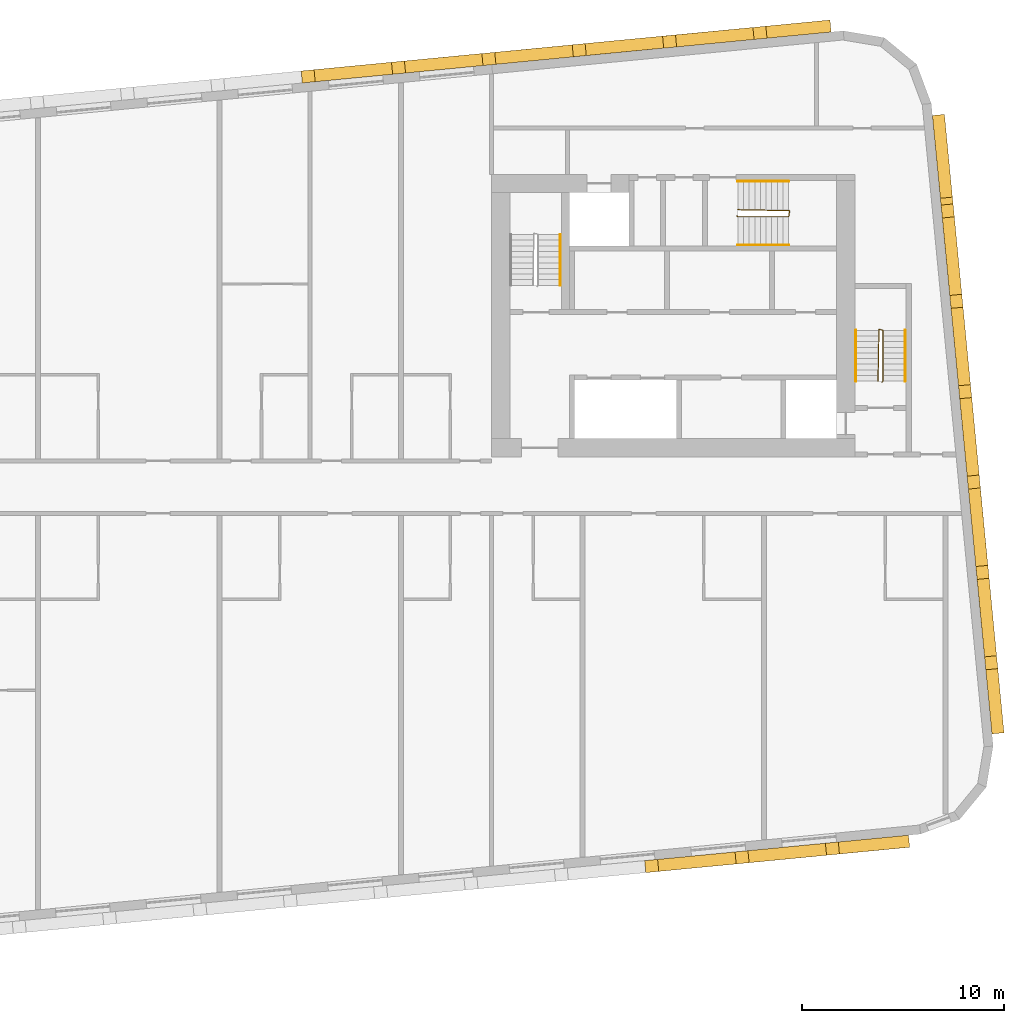
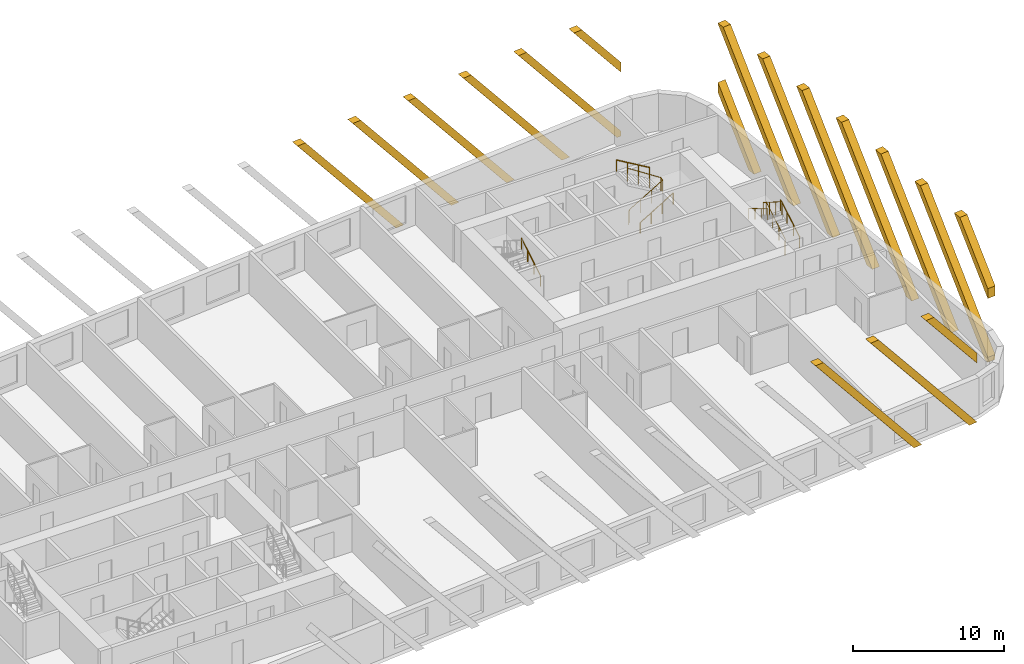
# One storey, part 12 of 12: 17 coverings, 7 railings.
"""IFC4 building model written with IfcOpenShell, lengths in metres."""

import ifcopenshell
import ifcopenshell.guid

model = None  # the IFC model being written
_history = None  # IfcOwnerHistory: only IFC2X3 demands one
_inside = {}  # id of a spatial element -> (the spatial element, [elements in it])
_under = {}  # id of a project, library or spatial element -> (it, [spatial elements below it])
_declared = {}  # id of a project -> (the project, [libraries it declares])
_typed = {}  # id of a type object -> (the type object, [elements of that type])
_made_of = {}  # id of a material, layer set ... -> (it, [elements and type objects made of it])


def new_model(schema):
    """Start an empty IFC model of exactly this schema.

    Asked for "IFC4X3", IfcOpenShell would pick the latest addendum, in which some entities
    have other attributes; the version numbers below select the first issue.
    IFC2X3 requires an IfcOwnerHistory on every rooted entity: one is made here for all.
    """
    global model, _history
    if schema == "IFC4X3":
        model = ifcopenshell.file(schema_version=(4, 3, 0, 0))
    else:
        model = ifcopenshell.file(schema=schema)
    _inside.clear()
    _under.clear()
    _declared.clear()
    _typed.clear()
    _made_of.clear()
    _history = None
    if model.schema == "IFC2X3":
        org = make("IfcOrganization", Name="unknown")
        user = make(
            "IfcPersonAndOrganization",
            ThePerson=make("IfcPerson", FamilyName="unknown"),
            TheOrganization=org,
        )
        app = make(
            "IfcApplication",
            ApplicationDeveloper=org,
            Version="unknown",
            ApplicationFullName="unknown",
            ApplicationIdentifier="unknown",
        )
        _history = make(
            "IfcOwnerHistory",
            OwningUser=user,
            OwningApplication=app,
            ChangeAction="ADDED",
            CreationDate=0,
        )
    return model


def make(cls, **values):
    """One entity of the class cls with the attributes given. An attribute that is None is left unset."""
    return model.create_entity(
        cls, **{name: value for name, value in values.items() if value is not None}
    )


def rooted(cls, **values):
    """An entity with a GlobalId (a new one), such as an element, a storey or a relation."""
    return make(cls, GlobalId=ifcopenshell.guid.new(), OwnerHistory=_history, **values)


def si_unit(unit_type, name, prefix=None):
    """IfcSIUnit, for example si_unit("LENGTHUNIT", "METRE", prefix="MILLI")."""
    return make("IfcSIUnit", UnitType=unit_type, Prefix=prefix, Name=name)


def assignment(units):
    """IfcUnitAssignment: the units of a project."""
    return None if units is None else make("IfcUnitAssignment", Units=units)


def point(xyz):
    """IfcCartesianPoint."""
    return None if xyz is None else make("IfcCartesianPoint", Coordinates=xyz)


def direction(xyz):
    """IfcDirection."""
    return None if xyz is None else make("IfcDirection", DirectionRatios=xyz)


def frame(location, z_axis=None, x_axis=None):
    """IfcAxis2Placement3D, a coordinate frame: its origin and axes. An axis left out is left unset."""
    return make(
        "IfcAxis2Placement3D",
        Location=point(location),
        Axis=direction(z_axis),
        RefDirection=direction(x_axis),
    )


def frame_2d(location, x_axis=None):
    """IfcAxis2Placement2D, a coordinate frame in the plane: its origin and x axis."""
    return make(
        "IfcAxis2Placement2D", Location=point(location), RefDirection=direction(x_axis)
    )


def origin():
    """The frame at (0, 0, 0) with its axes left unset."""
    return frame((0.0, 0.0, 0.0))


def origin_2d():
    """The frame at (0, 0) in the plane with its x axis left unset."""
    return frame_2d((0.0, 0.0))


def place(relative_to, where):
    """IfcLocalPlacement: puts the frame where relative to a parent placement (None: the world)."""
    return make(
        "IfcLocalPlacement", PlacementRelTo=relative_to, RelativePlacement=where
    )


def context(
    kind, dimensions, precision=None, world=None, true_north=None, identifier=None
):
    """IfcGeometricRepresentationContext, for example the 3D "Model" context."""
    return make(
        "IfcGeometricRepresentationContext",
        ContextIdentifier=identifier,
        ContextType=kind,
        CoordinateSpaceDimension=dimensions,
        Precision=precision,
        WorldCoordinateSystem=world,
        TrueNorth=true_north,
    )


def subcontext(parent, identifier, kind, view, scale=None):
    """IfcGeometricRepresentationSubContext, for example "Body" below "Model"."""
    return make(
        "IfcGeometricRepresentationSubContext",
        ContextIdentifier=identifier,
        ContextType=kind,
        ParentContext=parent,
        TargetScale=scale,
        TargetView=view,
    )


def project(units=None, contexts=None):
    """IfcProject with its units and contexts."""
    return rooted(
        "IfcProject",
        Name="project",
        RepresentationContexts=contexts,
        UnitsInContext=assignment(units),
    )


def spatial(cls, under=None, at=None, **own):
    """A site, building, storey or space (cls), placed at a placement, below another one or the project."""
    s = rooted(cls, ObjectPlacement=at, **own)
    if under is not None:
        _under.setdefault(under.id(), (under, []))[1].append(s)
    return s


def polyline(points):
    """IfcPolyline through the points."""
    return make("IfcPolyline", Points=[point(p) for p in points])


def profile(cls, at=None, kind="AREA", **sizes):
    """A parametric profile (cls). Its sizes go by their IFC names, for example OverallWidth=200.0."""
    return make(cls, ProfileType=kind, Position=at, **sizes)


def rectangle(**sizes):
    """IfcRectangleProfileDef."""
    return profile("IfcRectangleProfileDef", **sizes)


def circle(**sizes):
    """IfcCircleProfileDef."""
    return profile("IfcCircleProfileDef", **sizes)


def outline(outer, holes=None, kind="AREA"):
    """IfcArbitraryClosedProfileDef: a profile drawn as a closed curve; with holes, ...WithVoids."""
    if holes is None:
        return make("IfcArbitraryClosedProfileDef", ProfileType=kind, OuterCurve=outer)
    return make(
        "IfcArbitraryProfileDefWithVoids",
        ProfileType=kind,
        OuterCurve=outer,
        InnerCurves=holes,
    )


def extrude(swept, where, along, depth):
    """IfcExtrudedAreaSolid: the profile swept, set in the frame where, extruded along a direction by depth."""
    return make(
        "IfcExtrudedAreaSolid",
        SweptArea=swept,
        Position=where,
        ExtrudedDirection=direction(along),
        Depth=depth,
    )


def shape(context_of_items, identifier, shape_type, items):
    """IfcShapeRepresentation: the items that make up one representation, for example the "Body"."""
    return make(
        "IfcShapeRepresentation",
        ContextOfItems=context_of_items,
        RepresentationIdentifier=identifier,
        RepresentationType=shape_type,
        Items=items,
    )


def material(Name=None, Category=None):
    """IfcMaterial."""
    return make("IfcMaterial", Name=Name, Category=Category)


def material_profile(
    of_material, cross_section, Name=None, Category=None, Priority=None
):
    """IfcMaterialProfile: a cross section and its material."""
    return make(
        "IfcMaterialProfile",
        Name=Name,
        Material=of_material,
        Profile=cross_section,
        Priority=Priority,
        Category=Category,
    )


def profile_set(profiles, Name=None, composite=None):
    """IfcMaterialProfileSet."""
    return make(
        "IfcMaterialProfileSet",
        Name=Name,
        MaterialProfiles=profiles,
        CompositeProfile=composite,
    )


def made_of(thing, what):
    """Note that an element or type object is made of a material, layer set ...; save() writes the relation."""
    if what is not None:
        _made_of.setdefault(what.id(), (what, []))[1].append(thing)
    return thing


def type_object(cls, material=None, **own):
    """A type object (cls), such as IfcWallType, which elements share."""
    return made_of(rooted(cls, **own), material)


def element(
    cls,
    number,
    at=None,
    inside=None,
    cuts=None,
    type_object=None,
    material=None,
    context=None,
    identifier="Body",
    shape_type=None,
    held_by="IfcProductDefinitionShape",
    body=None,
    shapes=None,
    **own,
):
    """One element of the class cls, such as IfcWall. Its Tag is "e" and its number.

    at: its placement. inside: the storey or other place that contains it. cuts: it is an
    opening in that element (IfcRelVoidsElement). A single representation is given by context,
    identifier, shape_type and body (its items); several are given by shapes. held_by: the class
    of the entity that holds the representations. save() writes the other relations.
    """
    e = rooted(cls, Tag="e%d" % number, ObjectPlacement=at, **own)
    if body is not None:
        shapes = [shape(context, identifier, shape_type, body)]
    if shapes is not None:
        e.Representation = make(held_by, Representations=shapes)
    if inside is not None:
        _inside.setdefault(inside.id(), (inside, []))[1].append(e)
    if cuts is not None:
        rooted(
            "IfcRelVoidsElement", RelatingBuildingElement=cuts, RelatedOpeningElement=e
        )
    if type_object is not None:
        _typed.setdefault(type_object.id(), (type_object, []))[1].append(e)
    return made_of(e, material)


def aggregate(whole, parts):
    """IfcRelAggregates: a whole, such as a stair, and the parts it consists of."""
    return rooted("IfcRelAggregates", RelatingObject=whole, RelatedObjects=parts)


def save(model, path):
    """Write the relations noted so far, then the file.

    IfcRelAggregates (storeys below a building ...), IfcRelContainedInSpatialStructure (elements
    in a storey), IfcRelDefinesByType, IfcRelAssociatesMaterial and IfcRelDeclares: one each for
    every whole, place, type object, material and project.
    """
    for whole, parts in _under.values():
        aggregate(whole, parts)
    for where, things in _inside.values():
        rooted(
            "IfcRelContainedInSpatialStructure",
            RelatedElements=things,
            RelatingStructure=where,
        )
    for kind, things in _typed.values():
        rooted("IfcRelDefinesByType", RelatedObjects=things, RelatingType=kind)
    for what, things in _made_of.values():
        rooted("IfcRelAssociatesMaterial", RelatedObjects=things, RelatingMaterial=what)
    for by, libraries in _declared.values():
        rooted("IfcRelDeclares", RelatingContext=by, RelatedDefinitions=libraries)
    model.write(path)


model = new_model("IFC4")

# Units and contexts
model_context = context("Model", 3, precision=1e-05, world=origin(), true_north=direction((0.0, 1.0)))
body_context = subcontext(model_context, "Body", "Model", "MODEL_VIEW")
ifc_project = project(units=[si_unit("LENGTHUNIT", "METRE"), si_unit("AREAUNIT", "SQUARE_METRE"), si_unit("VOLUMEUNIT", "CUBIC_METRE"), si_unit("PLANEANGLEUNIT", "RADIAN"), si_unit("MASSUNIT", "GRAM", prefix="KILO")], contexts=[model_context])

# Site, building, storey
site_placement = place(None, origin())
site = spatial("IfcSite", under=ifc_project, at=site_placement, CompositionType="ELEMENT")
building_placement = place(site_placement, origin())
building = spatial("IfcBuilding", under=site, at=building_placement, Name="Kajstack Hotel Tower", CompositionType="ELEMENT")
storey_placement = place(building_placement, frame((0.0, 0.0, 288.300048828125)))
storey = spatial("IfcBuildingStorey", under=building, at=storey_placement, Name="L72", CompositionType="ELEMENT", Elevation=288.300048828125)

# Coverings
ifc_material_1 = material(Name="Terracotta", Category="masonry")
ifc_material_profile = material_profile(ifc_material_1, rectangle(XDim=0.60009765625, YDim=0.5, at=origin_2d()), Name="Terracotta-clad concrete baguette 500 x 600")
ifc_profile_set = profile_set([ifc_material_profile], Name="Terracotta")
covering_type = type_object("IfcCoveringType", Name="BAGUETTE 500x600", PredefinedType="CLADDING", material=ifc_profile_set)
covering_1_placement = place(storey_placement, frame((21.082763671875, -18.51806640625, 0.0), z_axis=(0.095634862357, -0.995416482233, 0.0), x_axis=(0.995416482233, 0.095634862357, 0.0)))
element("IfcCovering", 1, at=covering_1_placement, inside=storey, type_object=covering_type, Name="Baguette L72-04-054", PredefinedType="CLADDING", context=body_context, shape_type="SweptSolid", body=[
    extrude(outline(polyline([(0.0, 9.89990234375), (8.016845703125, 0.0), (8.66015625, 0.0), (0.643310546875, 9.89990234375), (0.0, 9.89990234375)])), origin(), (0.0, 0.0, 1.0), 0.599853515625),
])
covering_2_placement = place(storey_placement, frame((25.56201171875, -18.086669921875, 0.0), z_axis=(0.095634862357, -0.995416482233, 0.0), x_axis=(0.995416482233, 0.095634862357, 0.0)))
element("IfcCovering", 2, at=covering_2_placement, inside=storey, type_object=covering_type, Name="Baguette L72-04-058", PredefinedType="CLADDING", context=body_context, shape_type="SweptSolid", body=[
    extrude(outline(polyline([(8.016845703125, 0.0), (8.638671875, 0.0), (8.638671875, 0.026611328125), (0.643310546875, 9.89990234375), (0.0, 9.89990234375), (8.016845703125, 0.0)])), origin(), (0.0, 0.0, 1.0), 0.599853515625),
])
covering_3_placement = place(storey_placement, frame((30.041259765625, -17.6552734375, 0.0), z_axis=(0.095999188106, -0.995381412265, 0.0), x_axis=(0.995381412265, 0.095999188106, 0.0)))
element("IfcCovering", 3, at=covering_3_placement, inside=storey, type_object=covering_type, Name="Baguette L72-04-062", PredefinedType="CLADDING", context=body_context, shape_type="SweptSolid", body=[
    extrude(outline(polyline([(0.0, 9.89990234375), (4.138671875, 4.789306640625), (4.138671875, 5.583740234375), (0.643310546875, 9.89990234375), (0.0, 9.89990234375)])), origin(), (0.0, 0.0, 1.0), 0.60009765625),
])
covering_4_placement = place(storey_placement, frame((38.298828125, -12.239013671875, 0.0), z_axis=(0.995416482233, 0.095634862357, 0.0), x_axis=(-0.095634862357, 0.995416482233, 0.0)))
element("IfcCovering", 4, at=covering_4_placement, inside=storey, type_object=covering_type, Name="Baguette L72-08-002", PredefinedType="CLADDING", context=body_context, shape_type="SweptSolid", body=[
    extrude(outline(polyline([(3.195068359375, 9.89990234375), (0.0, 5.954345703125), (0.0, 5.15966796875), (3.838623046875, 9.89990234375), (3.195068359375, 9.89990234375)])), origin(), (0.0, 0.0, 1.0), 0.599853515625),
])
covering_5_placement = place(storey_placement, frame((38.298828125, -12.239013671875, 0.0), z_axis=(0.995416482233, 0.095634862357, 0.0), x_axis=(-0.095634862357, 0.995416482233, 0.0)))
element("IfcCovering", 5, at=covering_5_placement, inside=storey, type_object=covering_type, Name="Baguette L72-08-006", PredefinedType="CLADDING", context=body_context, shape_type="SweptSolid", body=[
    extrude(outline(polyline([(7.695068359375, 9.89990234375), (0.0, 0.397216796875), (0.0, 0.0), (0.32177734375, 0.0), (8.338623046875, 9.89990234375), (7.695068359375, 9.89990234375)])), origin(), (0.0, 0.0, 1.0), 0.599853515625),
])
covering_6_placement = place(storey_placement, frame((37.898193359375, -8.080078125, 0.0), z_axis=(0.995381412265, 0.095999188106, 0.0), x_axis=(-0.095999188106, 0.995381412265, 0.0)))
element("IfcCovering", 6, at=covering_6_placement, inside=storey, type_object=covering_type, Name="Baguette L72-08-010", PredefinedType="CLADDING", context=body_context, shape_type="SweptSolid", body=[
    extrude(outline(polyline([(8.016845703125, 9.89990234375), (0.0, 0.0), (0.643310546875, 0.0), (8.66015625, 9.89990234375), (8.016845703125, 9.89990234375)])), origin(), (0.0, 0.0, 1.0), 0.60009765625),
])
for number, where, z_axis, x_axis, name in (
    (7, (37.467041015625, -3.6005859375, 0.0), (0.995416482233, 0.095634862357, 0.0), (-0.095634862357, 0.995416482233, 0.0), "Baguette L72-08-014"),
    (8, (37.03564453125, 0.878662109375, 0.0), (0.995416482233, 0.095634862357, 0.0), (-0.095634862357, 0.995416482233, 0.0), "Baguette L72-08-018"),
    (9, (36.6044921875, 5.35791015625, 0.0), (0.995416482233, 0.095634862357, 0.0), (-0.095634862357, 0.995416482233, 0.0), "Baguette L72-08-022"),
):
    element("IfcCovering", number, at=place(storey_placement, frame(where, z_axis=z_axis, x_axis=x_axis)), inside=storey, type_object=covering_type, Name=name, PredefinedType="CLADDING", context=body_context, shape_type="SweptSolid", body=[
        extrude(outline(polyline([(8.016845703125, 9.89990234375), (0.0, 0.0), (0.643310546875, 0.0), (8.66015625, 9.89990234375), (8.016845703125, 9.89990234375)])), origin(), (0.0, 0.0, 1.0), 0.599853515625),
    ])
covering_7_placement = place(storey_placement, frame((36.173095703125, 9.837158203125, 0.0), z_axis=(0.995377661201, 0.096038073607, 0.0), x_axis=(-0.096038073607, 0.995377661201, 0.0)))
element("IfcCovering", 10, at=covering_7_placement, inside=storey, type_object=covering_type, Name="Baguette L72-08-026", PredefinedType="CLADDING", context=body_context, shape_type="SweptSolid", body=[
    extrude(outline(polyline([(0.643310546875, 0.0), (8.62158203125, 9.852294921875), (8.62158203125, 9.89990234375), (8.016845703125, 9.89990234375), (0.0, 0.0), (0.643310546875, 0.0)])), origin(), (0.0, 0.0, 1.0), 0.599853515625),
])
covering_8_placement = place(storey_placement, frame((35.74169921875, 14.31640625, 0.0), z_axis=(0.995381412265, 0.095999188106, 0.0), x_axis=(-0.095999188106, 0.995381412265, 0.0)))
element("IfcCovering", 11, at=covering_8_placement, inside=storey, type_object=covering_type, Name="Baguette L72-08-030", PredefinedType="CLADDING", context=body_context, shape_type="SweptSolid", body=[
    extrude(outline(polyline([(0.643310546875, 0.0), (4.12158203125, 4.29541015625), (4.12158203125, 5.08984375), (0.0, 0.0), (0.643310546875, 0.0)])), origin(), (0.0, 0.0, 1.0), 0.60009765625),
])
covering_9_placement = place(storey_placement, frame((30.3271484375, 22.55712890625, 0.0), z_axis=(-0.096038073607, 0.995377661201, 0.0), x_axis=(-0.995377661201, -0.096038073607, 0.0)))
element("IfcCovering", 12, at=covering_9_placement, inside=storey, type_object=covering_type, Name="Baguette L72-12-002", PredefinedType="CLADDING", context=body_context, shape_type="SweptSolid", body=[
    extrude(outline(polyline([(3.195068359375, 9.89990234375), (0.0, 5.954345703125), (0.0, 5.15966796875), (3.838623046875, 9.89990234375), (3.195068359375, 9.89990234375)])), origin(), (0.0, 0.0, 1.0), 0.599853515625),
])
covering_10_placement = place(storey_placement, frame((30.3271484375, 22.55712890625, 0.0), z_axis=(-0.096038073607, 0.995377661201, 0.0), x_axis=(-0.995377661201, -0.096038073607, 0.0)))
element("IfcCovering", 13, at=covering_10_placement, inside=storey, type_object=covering_type, Name="Baguette L72-12-006", PredefinedType="CLADDING", context=body_context, shape_type="SweptSolid", body=[
    extrude(outline(polyline([(7.695068359375, 9.89990234375), (0.0, 0.397216796875), (0.0, 0.0), (0.32177734375, 0.0), (8.338623046875, 9.89990234375), (7.695068359375, 9.89990234375)])), origin(), (0.0, 0.0, 1.0), 0.599853515625),
])
for number, where, z_axis, x_axis, name in (
    (14, (26.16796875, 22.15673828125, 0.0), (-0.095634862357, 0.995416482233, 0.0), (-0.995416482233, -0.095634862357, 0.0), "Baguette L72-12-010"),
    (15, (21.688720703125, 21.725341796875, 0.0), (-0.096038073607, 0.995377661201, 0.0), (-0.995377661201, -0.096038073607, 0.0), "Baguette L72-12-014"),
):
    element("IfcCovering", number, at=place(storey_placement, frame(where, z_axis=z_axis, x_axis=x_axis)), inside=storey, type_object=covering_type, Name=name, PredefinedType="CLADDING", context=body_context, shape_type="SweptSolid", body=[
        extrude(outline(polyline([(8.016845703125, 9.89990234375), (0.0, 0.0), (0.643310546875, 0.0), (8.66015625, 9.89990234375), (8.016845703125, 9.89990234375)])), origin(), (0.0, 0.0, 1.0), 0.599853515625),
    ])
covering_11_placement = place(storey_placement, frame((17.20947265625, 21.2939453125, 0.0), z_axis=(-0.095999188106, 0.995381412265, 0.0), x_axis=(-0.995381412265, -0.095999188106, 0.0)))
element("IfcCovering", 16, at=covering_11_placement, inside=storey, type_object=covering_type, Name="Baguette L72-12-018", PredefinedType="CLADDING", context=body_context, shape_type="SweptSolid", body=[
    extrude(outline(polyline([(8.016845703125, 9.89990234375), (0.0, 0.0), (0.643310546875, 0.0), (8.66015625, 9.89990234375), (8.016845703125, 9.89990234375)])), origin(), (0.0, 0.0, 1.0), 0.60009765625),
])
covering_12_placement = place(storey_placement, frame((12.730224609375, 20.86279296875, 0.0), z_axis=(-0.096038073607, 0.995377661201, 0.0), x_axis=(-0.995377661201, -0.096038073607, 0.0)))
element("IfcCovering", 17, at=covering_12_placement, inside=storey, type_object=covering_type, Name="Baguette L72-12-022", PredefinedType="CLADDING", context=body_context, shape_type="SweptSolid", body=[
    extrude(outline(polyline([(8.016845703125, 9.89990234375), (0.0, 0.0), (0.643310546875, 0.0), (8.66015625, 9.89990234375), (8.016845703125, 9.89990234375)])), origin(), (0.0, 0.0, 1.0), 0.599853515625),
])

# Railings
ifc_material_2 = material(Name="Steel S355J2", Category="steel")
railing_type_1 = type_object("IfcRailingType", Name="Stair guard 1100", PredefinedType="GUARDRAIL", material=ifc_material_2)
railing_1_placement = place(storey_placement, frame((32.85009765625, 5.199951171875, 0.0)))
element("IfcRailing", 18, at=railing_1_placement, inside=storey, type_object=railing_type_1, Name="L72 E1 stair guard 1", PredefinedType="GUARDRAIL", context=body_context, shape_type="SweptSolid", body=[
    extrude(circle(Radius=0.02392578125, at=origin_2d()), frame((0.0, 0.0, 1.076171875), z_axis=(0.277450376394, 0.278810427259, 0.919394384522), x_axis=(-0.708833529934, 0.705375805398, 0.0)), (0.0, 0.0, 1.0), 0.179443359375),
    extrude(circle(Radius=0.02392578125, at=origin_2d()), frame((0.0498046875, 0.050048828125, 1.2412109375), z_axis=(0.0, 0.861560626758, 0.507654692109), x_axis=(-1.0, 0.0, 0.0)), (0.0, 0.0, 1.0), 2.925048828125),
    extrude(circle(Radius=0.02392578125, at=origin_2d()), frame((0.0498046875, 2.570068359375, 2.72607421875), z_axis=(-0.970072785993, 0.242814311512, 0.0), x_axis=(-0.242814311512, -0.970072785993, 0.0)), (0.0, 0.0, 1.0), 0.2060546875),
    extrude(circle(Radius=0.02392578125, at=origin_2d()), frame((-0.150146484375, 2.6201171875, 2.72607421875), z_axis=(-0.016384601254, -0.84136925563, 0.540212292087), x_axis=(0.999810440751, -0.019470042781, 0.0)), (0.0, 0.0, 1.0), 3.0546875),
    extrude(circle(Radius=0.02099609375, at=origin_2d()), origin(), (0.0, 0.0, 1.0), 1.052001953125),
    extrude(circle(Radius=0.02099609375, at=origin_2d()), frame((0.0498046875, 0.050048828125, 0.1650390625)), (0.0, 0.0, 1.0), 1.052001953125),
    extrude(circle(Radius=0.02099609375, at=origin_2d()), frame((0.0498046875, 0.89013671875, 0.659912109375)), (0.0, 0.0, 1.0), 1.052001953125),
    extrude(circle(Radius=0.02099609375, at=origin_2d()), frame((0.0498046875, 1.72998046875, 1.155029296875)), (0.0, 0.0, 1.0), 1.052001953125),
    extrude(circle(Radius=0.02099609375, at=origin_2d()), frame((0.0498046875, 2.570068359375, 1.64990234375)), (0.0, 0.0, 1.0), 1.052001953125),
    extrude(circle(Radius=0.02099609375, at=origin_2d()), frame((-0.150146484375, 2.6201171875, 1.64990234375)), (0.0, 0.0, 1.0), 1.052001953125),
    extrude(circle(Radius=0.02099609375, at=origin_2d()), frame((-0.166748046875, 1.763427734375, 2.199951171875)), (0.0, 0.0, 1.0), 1.052001953125),
    extrude(circle(Radius=0.02099609375, at=origin_2d()), frame((-0.18359375, 0.90673828125, 2.75)), (0.0, 0.0, 1.0), 1.052001953125),
    extrude(circle(Radius=0.02099609375, at=origin_2d()), frame((-0.2001953125, 0.050048828125, 3.300048828125)), (0.0, 0.0, 1.0), 1.052001953125),
])
railing_2_placement = place(storey_placement, frame((25.64990234375, 13.449951171875, 0.0)))
element("IfcRailing", 19, at=railing_2_placement, inside=storey, type_object=railing_type_1, Name="L72 E3 stair guard 1", PredefinedType="GUARDRAIL", context=body_context, shape_type="SweptSolid", body=[
    extrude(circle(Radius=0.02392578125, at=origin_2d()), frame((0.0, 0.0, 1.076171875), z_axis=(0.278705021027, -0.278705021027, 0.919046801044), x_axis=(0.707106781187, 0.707106781187, 0.0)), (0.0, 0.0, 1.0), 0.1796875),
    extrude(circle(Radius=0.02392578125, at=origin_2d()), frame((0.050048828125, -0.050048828125, 1.2412109375), z_axis=(0.861560626758, 0.0, 0.507654692109), x_axis=(0.0, 1.0, 0.0)), (0.0, 0.0, 1.0), 2.925048828125),
    extrude(circle(Radius=0.02392578125, at=origin_2d()), frame((2.570068359375, -0.050048828125, 2.72607421875), z_axis=(0.164529134168, 0.986372223864, 0.0), x_axis=(-0.986372223864, 0.164529134168, 0.0)), (0.0, 0.0, 1.0), 0.30419921875),
    extrude(circle(Radius=0.02392578125, at=origin_2d()), frame((2.6201171875, 0.25, 2.72607421875), z_axis=(-0.84136925563, 0.016384601254, 0.540212292087), x_axis=(-0.019470042781, -0.999810440751, 0.0)), (0.0, 0.0, 1.0), 3.0546875),
    extrude(circle(Radius=0.02099609375, at=origin_2d()), origin(), (0.0, 0.0, 1.0), 1.052001953125),
    extrude(circle(Radius=0.02099609375, at=origin_2d()), frame((0.050048828125, -0.050048828125, 0.1650390625)), (0.0, 0.0, 1.0), 1.052001953125),
    extrude(circle(Radius=0.02099609375, at=origin_2d()), frame((0.89013671875, -0.050048828125, 0.659912109375)), (0.0, 0.0, 1.0), 1.052001953125),
    extrude(circle(Radius=0.02099609375, at=origin_2d()), frame((1.72998046875, -0.050048828125, 1.155029296875)), (0.0, 0.0, 1.0), 1.052001953125),
    extrude(circle(Radius=0.02099609375, at=origin_2d()), frame((2.570068359375, -0.050048828125, 1.64990234375)), (0.0, 0.0, 1.0), 1.052001953125),
    extrude(circle(Radius=0.02099609375, at=origin_2d()), frame((2.6201171875, 0.25, 1.64990234375)), (0.0, 0.0, 1.0), 1.052001953125),
    extrude(circle(Radius=0.02099609375, at=origin_2d()), frame((1.763427734375, 0.2666015625, 2.199951171875)), (0.0, 0.0, 1.0), 1.052001953125),
    extrude(circle(Radius=0.02099609375, at=origin_2d()), frame((0.90673828125, 0.283447265625, 2.75)), (0.0, 0.0, 1.0), 1.052001953125),
    extrude(circle(Radius=0.02099609375, at=origin_2d()), frame((0.050048828125, 0.300048828125, 3.300048828125)), (0.0, 0.0, 1.0), 1.052001953125),
])
railing_type_2 = type_object("IfcRailingType", Name="Stair handrail 900", PredefinedType="HANDRAIL", material=ifc_material_2)
railing_3_placement = place(storey_placement, frame((34.0, 5.25, 0.1650390625)))
element("IfcRailing", 20, at=railing_3_placement, inside=storey, type_object=railing_type_2, Name="L72 E1 stair handrail 1", PredefinedType="HANDRAIL", context=body_context, shape_type="SweptSolid", body=[
    extrude(circle(Radius=0.02392578125, at=origin_2d()), frame((0.0, 0.0, 0.8759765625), z_axis=(0.0, 0.861560626758, 0.507654692109), x_axis=(-1.0, 0.0, 0.0)), (0.0, 0.0, 1.0), 2.925048828125),
    extrude(circle(Radius=0.02099609375, at=origin_2d()), origin(), (0.0, 0.0, 1.0), 0.851806640625),
    extrude(circle(Radius=0.02099609375, at=origin_2d()), frame((0.0, 0.840087890625, 0.494873046875)), (0.0, 0.0, 1.0), 0.851806640625),
    extrude(circle(Radius=0.02099609375, at=origin_2d()), frame((0.0, 1.679931640625, 0.989990234375)), (0.0, 0.0, 1.0), 0.851806640625),
    extrude(circle(Radius=0.02099609375, at=origin_2d()), frame((0.0, 2.52001953125, 1.48486328125)), (0.0, 0.0, 1.0), 0.851806640625),
])
railing_4_placement = place(storey_placement, frame((31.550048828125, 7.77001953125, 1.81494140625)))
element("IfcRailing", 21, at=railing_4_placement, inside=storey, type_object=railing_type_2, Name="L72 E1 stair handrail 2", PredefinedType="HANDRAIL", context=body_context, shape_type="SweptSolid", body=[
    extrude(circle(Radius=0.02392578125, at=origin_2d()), frame((0.0, 0.0, 0.8759765625), z_axis=(0.0, -0.86152411907, 0.507716645641), x_axis=(1.0, 0.0, 0.0)), (0.0, 0.0, 1.0), 2.925048828125),
    extrude(circle(Radius=0.02099609375, at=origin_2d()), origin(), (0.0, 0.0, 1.0), 0.851806640625),
    extrude(circle(Radius=0.02099609375, at=origin_2d()), frame((0.0, -0.840087890625, 0.4951171875)), (0.0, 0.0, 1.0), 0.851806640625),
    extrude(circle(Radius=0.02099609375, at=origin_2d()), frame((0.0, -1.679931640625, 0.989990234375)), (0.0, 0.0, 1.0), 0.851806640625),
    extrude(circle(Radius=0.02099609375, at=origin_2d()), frame((0.0, -2.52001953125, 1.485107421875)), (0.0, 0.0, 1.0), 0.851806640625),
])
railing_5_placement = place(storey_placement, frame((16.89990234375, 10.0, 0.1650390625)))
element("IfcRailing", 22, at=railing_5_placement, inside=storey, type_object=railing_type_2, Name="L72 E2 stair handrail 1", PredefinedType="HANDRAIL", context=body_context, shape_type="SweptSolid", body=[
    extrude(circle(Radius=0.02392578125, at=origin_2d()), frame((0.0, 0.0, 0.8759765625), z_axis=(0.0, 0.861560626758, 0.507654692109), x_axis=(-1.0, 0.0, 0.0)), (0.0, 0.0, 1.0), 2.925048828125),
    extrude(circle(Radius=0.02099609375, at=origin_2d()), origin(), (0.0, 0.0, 1.0), 0.851806640625),
    extrude(circle(Radius=0.02099609375, at=origin_2d()), frame((0.0, 0.840087890625, 0.494873046875)), (0.0, 0.0, 1.0), 0.851806640625),
    extrude(circle(Radius=0.02099609375, at=origin_2d()), frame((0.0, 1.679931640625, 0.989990234375)), (0.0, 0.0, 1.0), 0.851806640625),
    extrude(circle(Radius=0.02099609375, at=origin_2d()), frame((0.0, 2.52001953125, 1.48486328125)), (0.0, 0.0, 1.0), 0.851806640625),
])
railing_6_placement = place(storey_placement, frame((25.699951171875, 12.0, 0.1650390625)))
element("IfcRailing", 23, at=railing_6_placement, inside=storey, type_object=railing_type_2, Name="L72 E3 stair handrail 1", PredefinedType="HANDRAIL", context=body_context, shape_type="SweptSolid", body=[
    extrude(circle(Radius=0.02392578125, at=origin_2d()), frame((0.0, 0.0, 0.8759765625), z_axis=(0.861560626758, 0.0, 0.507654692109), x_axis=(0.0, 1.0, 0.0)), (0.0, 0.0, 1.0), 2.925048828125),
    extrude(circle(Radius=0.02099609375, at=origin_2d()), origin(), (0.0, 0.0, 1.0), 0.851806640625),
    extrude(circle(Radius=0.02099609375, at=origin_2d()), frame((0.840087890625, 0.0, 0.494873046875)), (0.0, 0.0, 1.0), 0.851806640625),
    extrude(circle(Radius=0.02099609375, at=origin_2d()), frame((1.679931640625, 0.0, 0.989990234375)), (0.0, 0.0, 1.0), 0.851806640625),
    extrude(circle(Radius=0.02099609375, at=origin_2d()), frame((2.52001953125, 0.0, 1.48486328125)), (0.0, 0.0, 1.0), 0.851806640625),
])
railing_7_placement = place(storey_placement, frame((28.219970703125, 15.14990234375, 1.81494140625)))
element("IfcRailing", 24, at=railing_7_placement, inside=storey, type_object=railing_type_2, Name="L72 E3 stair handrail 2", PredefinedType="HANDRAIL", context=body_context, shape_type="SweptSolid", body=[
    extrude(circle(Radius=0.02392578125, at=origin_2d()), frame((0.0, 0.0, 0.8759765625), z_axis=(-0.86152411907, 0.0, 0.507716645641), x_axis=(0.0, -1.0, 0.0)), (0.0, 0.0, 1.0), 2.925048828125),
    extrude(circle(Radius=0.02099609375, at=origin_2d()), origin(), (0.0, 0.0, 1.0), 0.851806640625),
    extrude(circle(Radius=0.02099609375, at=origin_2d()), frame((-0.840087890625, 0.0, 0.4951171875)), (0.0, 0.0, 1.0), 0.851806640625),
    extrude(circle(Radius=0.02099609375, at=origin_2d()), frame((-1.679931640625, 0.0, 0.989990234375)), (0.0, 0.0, 1.0), 0.851806640625),
    extrude(circle(Radius=0.02099609375, at=origin_2d()), frame((-2.52001953125, 0.0, 1.485107421875)), (0.0, 0.0, 1.0), 0.851806640625),
])

save(model, "model.ifc")
